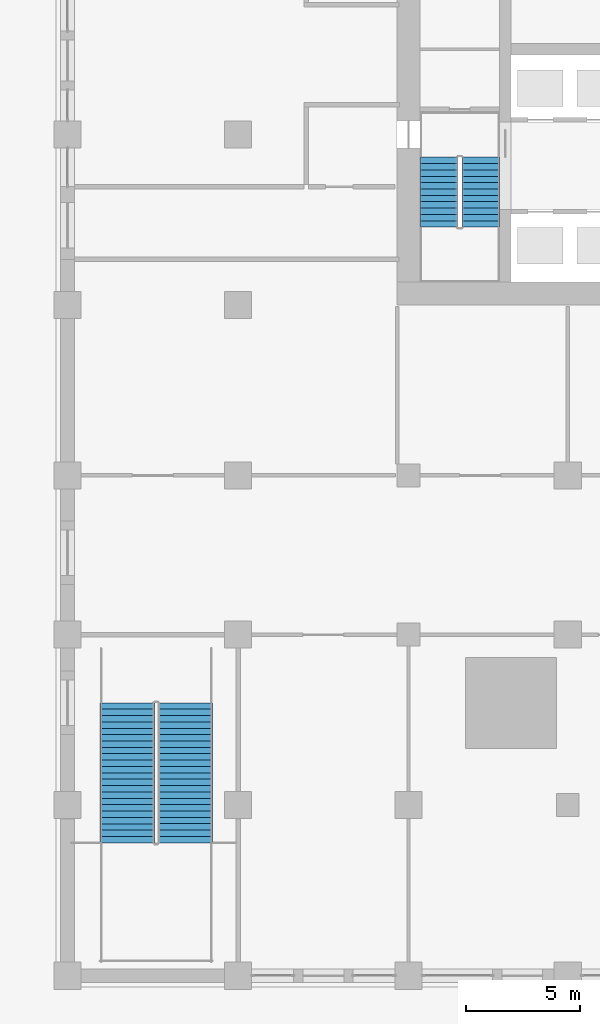
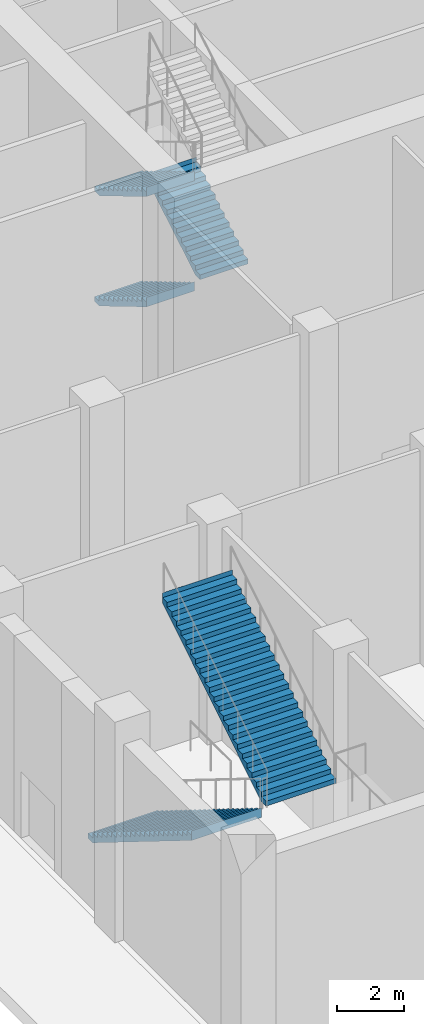
# One storey, part 35 of 57: 5 stair flights, 2 elements without a shape of their own.
"""IFC4 building model written with IfcOpenShell, lengths in metres."""

from ifc_helpers import new_model, si_unit, direction, frame, origin, place, context, subcontext, project, spatial, polyline, outline, extrude, material, type_object, element, aggregate, save


model = new_model("IFC4")

# Units and contexts
model_context = context("Model", 3, precision=1e-05, world=origin(), true_north=direction((0.0, 1.0)))
body_context = subcontext(model_context, "Body", "Model", "MODEL_VIEW")
ifc_project = project(units=[si_unit("LENGTHUNIT", "METRE"), si_unit("AREAUNIT", "SQUARE_METRE"), si_unit("VOLUMEUNIT", "CUBIC_METRE"), si_unit("PLANEANGLEUNIT", "RADIAN"), si_unit("MASSUNIT", "GRAM", prefix="KILO")], contexts=[model_context])

# Site, building, storey
site_placement = place(None, origin())
site = spatial("IfcSite", under=ifc_project, at=site_placement, CompositionType="ELEMENT")
building_placement = place(site_placement, origin())
building = spatial("IfcBuilding", under=site, at=building_placement, Name="Tamorin Gate", CompositionType="ELEMENT")
storey_placement = place(building_placement, origin())
storey = spatial("IfcBuildingStorey", under=building, at=storey_placement, Name="L00", CompositionType="ELEMENT", Elevation=0.0)

# Stair, stair flights
ifc_material_1 = material(Name="Concrete C40/50", Category="concrete")
stair_type_1 = type_object("IfcStairType", Name="Exit stair", PredefinedType="HALF_TURN_STAIR", material=ifc_material_1)
stair_1_placement = place(storey_placement, origin())
stair_1 = element("IfcStair", 1, at=stair_1_placement, inside=storey, type_object=stair_type_1, Name="L00 stair ST1", PredefinedType="HALF_TURN_STAIR")
stair_flight_type_1 = type_object("IfcStairFlightType", Name="Exit stair flight", PredefinedType="STRAIGHT", material=ifc_material_1)
stair_flight_1_placement = place(storey_placement, frame((31.824951171875, 66.5, 0.0), z_axis=(0.0, 0.0, 1.0), x_axis=(0.0, -1.0, 0.0)))
stair_flight_1 = element("IfcStairFlight", 2, at=stair_flight_1_placement, type_object=stair_flight_type_1, Name="ST1 flight 1", NumberOfRisers=12, NumberOfTreads=11, PredefinedType="STRAIGHT", RiserHeight=0.166666667, TreadLength=0.28, context=body_context, shape_type="SweptSolid", body=[
    extrude(outline(polyline([(-0.00048828125, 0.0), (-0.00048828125, 0.001708984375), (-0.00048828125, 0.00341796875), (-0.00048828125, 0.0048828125), (-0.00048828125, 0.006591796875), (-0.00048828125, 0.00830078125), (-0.00048828125, 0.010009765625), (-0.00048828125, 0.011474609375), (-0.00048828125, 0.01318359375), (-0.00048828125, 0.014892578125), (-0.00048828125, 0.0166015625), (-0.00048828125, 0.01806640625), (-0.00048828125, 0.019775390625), (-0.00048828125, 0.021484375), (-0.00048828125, 0.023193359375), (-0.00048828125, 0.024658203125), (-0.00048828125, 0.0263671875), (-0.00048828125, 0.028076171875), (-0.00048828125, 0.02978515625), (-0.00048828125, 0.03125), (-0.00048828125, 0.032958984375), (-0.00048828125, 0.03466796875), (-0.00048828125, 0.036376953125), (-0.00048828125, 0.037841796875), (-0.00048828125, 0.03955078125), (-0.00048828125, 0.041259765625), (-0.00048828125, 0.04296875), (-0.00048828125, 0.04443359375), (-0.00048828125, 0.046142578125), (-0.00048828125, 0.0478515625), (-0.00048828125, 0.049560546875), (-0.00048828125, 0.05126953125), (-0.00048828125, 0.052734375), (-0.00048828125, 0.054443359375), (-0.00048828125, 0.05615234375), (-0.00048828125, 0.057861328125), (-0.00048828125, 0.059326171875), (-0.00048828125, 0.06103515625), (-0.00048828125, 0.062744140625), (-0.00048828125, 0.064453125), (-0.00048828125, 0.06591796875), (-0.00048828125, 0.067626953125), (-0.00048828125, 0.0693359375), (-0.00048828125, 0.071044921875), (-0.00048828125, 0.072509765625), (-0.00048828125, 0.07421875), (-0.00048828125, 0.075927734375), (-0.00048828125, 0.07763671875), (-0.00048828125, 0.0791015625), (-0.00048828125, 0.080810546875), (-0.00048828125, 0.08251953125), (-0.00048828125, 0.084228515625), (-0.00048828125, 0.085693359375), (-0.00048828125, 0.08740234375), (-0.00048828125, 0.089111328125), (-0.00048828125, 0.0908203125), (-0.00048828125, 0.092529296875), (-0.00048828125, 0.093994140625), (-0.00048828125, 0.095703125), (-0.00048828125, 0.097412109375), (-0.00048828125, 0.09912109375), (-0.00048828125, 0.1005859375), (-0.00048828125, 0.102294921875), (-0.00048828125, 0.10400390625), (-0.00048828125, 0.105712890625), (-0.00048828125, 0.107177734375), (-0.00048828125, 0.10888671875), (-0.00048828125, 0.110595703125), (-0.00048828125, 0.1123046875), (-0.00048828125, 0.11376953125), (-0.00048828125, 0.115478515625), (-0.00048828125, 0.1171875), (-0.00048828125, 0.118896484375), (-0.00048828125, 0.120361328125), (-0.00048828125, 0.1220703125), (-0.00048828125, 0.123779296875), (-0.00048828125, 0.12548828125), (-0.00048828125, 0.126953125), (-0.00048828125, 0.128662109375), (-0.00048828125, 0.13037109375), (-0.00048828125, 0.132080078125), (-0.00048828125, 0.133544921875), (-0.00048828125, 0.13525390625), (-0.00048828125, 0.136962890625), (-0.00048828125, 0.138671875), (-0.00048828125, 0.140380859375), (-0.00048828125, 0.141845703125), (-0.00048828125, 0.1435546875), (-0.00048828125, 0.145263671875), (-0.00048828125, 0.14697265625), (-0.00048828125, 0.1484375), (-0.00048828125, 0.150146484375), (-0.00048828125, 0.15185546875), (-0.00048828125, 0.153564453125), (-0.00048828125, 0.155029296875), (-0.00048828125, 0.15673828125), (-0.00048828125, 0.158447265625), (-0.00048828125, 0.16015625), (-0.00048828125, 0.16162109375), (-0.00048828125, 0.163330078125), (-0.00048828125, 0.1650390625), (-0.00048828125, 0.166748046875), (0.280029296875, 0.166748046875), (0.280029296875, 0.333251953125), (0.56005859375, 0.333251953125), (0.56005859375, 0.5), (0.840087890625, 0.5), (0.840087890625, 0.666748046875), (1.1201171875, 0.666748046875), (1.1201171875, 0.833251953125), (1.39990234375, 0.833251953125), (1.39990234375, 1.0), (1.679931640625, 1.0), (1.679931640625, 1.166748046875), (1.9599609375, 1.166748046875), (1.9599609375, 1.333251953125), (2.239990234375, 1.333251953125), (2.239990234375, 1.5), (2.52001953125, 1.5), (2.52001953125, 1.666748046875), (2.800048828125, 1.666748046875), (2.800048828125, 1.833251953125), (3.080078125, 1.833251953125), (3.080078125, 2.0), (3.08056640625, 2.0), (3.08056640625, 1.99658203125), (3.08056640625, 1.9931640625), (3.08056640625, 1.98974609375), (3.08056640625, 1.986572265625), (3.08056640625, 1.983154296875), (3.08056640625, 1.979736328125), (3.08056640625, 1.976318359375), (3.08056640625, 1.972900390625), (3.08056640625, 1.969482421875), (3.08056640625, 1.96630859375), (3.08056640625, 1.962890625), (3.08056640625, 1.95947265625), (3.08056640625, 1.9560546875), (3.08056640625, 1.95263671875), (3.08056640625, 1.94921875), (3.08056640625, 1.946044921875), (3.08056640625, 1.942626953125), (3.08056640625, 1.939208984375), (3.08056640625, 1.935791015625), (3.08056640625, 1.932373046875), (3.08056640625, 1.928955078125), (3.08056640625, 1.92578125), (3.08056640625, 1.92236328125), (3.08056640625, 1.9189453125), (3.08056640625, 1.91552734375), (3.08056640625, 1.912109375), (3.08056640625, 1.90869140625), (3.08056640625, 1.905517578125), (3.08056640625, 1.902099609375), (3.08056640625, 1.898681640625), (3.08056640625, 1.895263671875), (3.08056640625, 1.891845703125), (3.08056640625, 1.888427734375), (3.08056640625, 1.88525390625), (3.08056640625, 1.8818359375), (3.08056640625, 1.87841796875), (3.08056640625, 1.875), (3.08056640625, 1.87158203125), (3.08056640625, 1.8681640625), (3.08056640625, 1.864990234375), (3.08056640625, 1.861572265625), (3.08056640625, 1.858154296875), (3.08056640625, 1.854736328125), (3.08056640625, 1.851318359375), (3.08056640625, 1.847900390625), (3.08056640625, 1.8447265625), (3.08056640625, 1.84130859375), (3.08056640625, 1.837890625), (3.08056640625, 1.83447265625), (3.08056640625, 1.8310546875), (3.08056640625, 1.82763671875), (3.08056640625, 1.824462890625), (3.08056640625, 1.821044921875), (3.08056640625, 1.817626953125), (3.08056640625, 1.814208984375), (3.08056640625, 1.810791015625), (3.08056640625, 1.807373046875), (3.08056640625, 1.80419921875), (3.08056640625, 1.80078125), (3.08056640625, 1.79736328125), (3.08056640625, 1.7939453125), (3.08056640625, 1.79052734375), (3.08056640625, 1.787109375), (3.08056640625, 1.783935546875), (3.08056640625, 1.780517578125), (3.08056640625, 1.777099609375), (3.08056640625, 1.773681640625), (3.08056640625, 1.770263671875), (3.08056640625, 1.766845703125), (3.08056640625, 1.763671875), (3.08056640625, 1.76025390625), (3.08056640625, 1.7568359375), (3.08056640625, 1.75341796875), (3.08056640625, 1.75), (3.08056640625, 1.74658203125), (3.08056640625, 1.743408203125), (3.08056640625, 1.739990234375), (3.08056640625, 1.736572265625), (3.08056640625, 1.733154296875), (3.08056640625, 1.729736328125), (3.08056640625, 1.726318359375), (3.08056640625, 1.72314453125), (3.08056640625, 1.7197265625), (3.08056640625, 1.71630859375), (3.08056640625, 1.712890625), (3.08056640625, 1.70947265625), (3.08056640625, 1.7060546875), (3.08056640625, 1.702880859375), (3.08056640625, 1.699462890625), (3.08056640625, 1.696044921875), (3.08056640625, 1.692626953125), (3.08056640625, 1.689208984375), (3.08056640625, 1.685791015625), (3.08056640625, 1.6826171875), (3.08056640625, 1.67919921875), (3.08056640625, 1.67578125), (3.08056640625, 1.67236328125), (3.08056640625, 1.6689453125), (3.08056640625, 1.66552734375), (3.08056640625, 1.662353515625), (3.08056640625, 1.658935546875), (3.080078125, 1.658935546875), (0.29296875, 0.0), (-0.00048828125, 0.0)])), frame((0.0, 0.824951171875, 0.0), z_axis=(0.0, -1.0, 0.0), x_axis=(1.0, 0.0, 0.0)), (0.0, 0.0, 1.0), 1.64990234375),
])
stair_flight_2_placement = place(storey_placement, frame((33.675048828125, 63.419921875, 2.0), z_axis=(0.0, 0.0, 1.0), x_axis=(0.0, 1.0, 0.0)))
stair_flight_2 = element("IfcStairFlight", 3, at=stair_flight_2_placement, type_object=stair_flight_type_1, Name="ST1 flight 2", NumberOfRisers=12, NumberOfTreads=11, PredefinedType="STRAIGHT", RiserHeight=0.166666667, TreadLength=0.28, context=body_context, shape_type="SweptSolid", body=[
    extrude(outline(polyline([(-0.00048828125, 0.0), (-0.00048828125, 0.001708984375), (-0.00048828125, 0.00341796875), (-0.00048828125, 0.0048828125), (-0.00048828125, 0.006591796875), (-0.00048828125, 0.00830078125), (-0.00048828125, 0.010009765625), (-0.00048828125, 0.011474609375), (-0.00048828125, 0.01318359375), (-0.00048828125, 0.014892578125), (-0.00048828125, 0.0166015625), (-0.00048828125, 0.01806640625), (-0.00048828125, 0.019775390625), (-0.00048828125, 0.021484375), (-0.00048828125, 0.023193359375), (-0.00048828125, 0.024658203125), (-0.00048828125, 0.0263671875), (-0.00048828125, 0.028076171875), (-0.00048828125, 0.02978515625), (-0.00048828125, 0.03125), (-0.00048828125, 0.032958984375), (-0.00048828125, 0.03466796875), (-0.00048828125, 0.036376953125), (-0.00048828125, 0.037841796875), (-0.00048828125, 0.03955078125), (-0.00048828125, 0.041259765625), (-0.00048828125, 0.04296875), (-0.00048828125, 0.04443359375), (-0.00048828125, 0.046142578125), (-0.00048828125, 0.0478515625), (-0.00048828125, 0.049560546875), (-0.00048828125, 0.05126953125), (-0.00048828125, 0.052734375), (-0.00048828125, 0.054443359375), (-0.00048828125, 0.05615234375), (-0.00048828125, 0.057861328125), (-0.00048828125, 0.059326171875), (-0.00048828125, 0.06103515625), (-0.00048828125, 0.062744140625), (-0.00048828125, 0.064453125), (-0.00048828125, 0.06591796875), (-0.00048828125, 0.067626953125), (-0.00048828125, 0.0693359375), (-0.00048828125, 0.071044921875), (-0.00048828125, 0.072509765625), (-0.00048828125, 0.07421875), (-0.00048828125, 0.075927734375), (-0.00048828125, 0.07763671875), (-0.00048828125, 0.0791015625), (-0.00048828125, 0.080810546875), (-0.00048828125, 0.08251953125), (-0.00048828125, 0.084228515625), (-0.00048828125, 0.085693359375), (-0.00048828125, 0.08740234375), (-0.00048828125, 0.089111328125), (-0.00048828125, 0.0908203125), (-0.00048828125, 0.092529296875), (-0.00048828125, 0.093994140625), (-0.00048828125, 0.095703125), (-0.00048828125, 0.097412109375), (-0.00048828125, 0.09912109375), (-0.00048828125, 0.1005859375), (-0.00048828125, 0.102294921875), (-0.00048828125, 0.10400390625), (-0.00048828125, 0.105712890625), (-0.00048828125, 0.107177734375), (-0.00048828125, 0.10888671875), (-0.00048828125, 0.110595703125), (-0.00048828125, 0.1123046875), (-0.00048828125, 0.11376953125), (-0.00048828125, 0.115478515625), (-0.00048828125, 0.1171875), (-0.00048828125, 0.118896484375), (-0.00048828125, 0.120361328125), (-0.00048828125, 0.1220703125), (-0.00048828125, 0.123779296875), (-0.00048828125, 0.12548828125), (-0.00048828125, 0.126953125), (-0.00048828125, 0.128662109375), (-0.00048828125, 0.13037109375), (-0.00048828125, 0.132080078125), (-0.00048828125, 0.133544921875), (-0.00048828125, 0.13525390625), (-0.00048828125, 0.136962890625), (-0.00048828125, 0.138671875), (-0.00048828125, 0.140380859375), (-0.00048828125, 0.141845703125), (-0.00048828125, 0.1435546875), (-0.00048828125, 0.145263671875), (-0.00048828125, 0.14697265625), (-0.00048828125, 0.1484375), (-0.00048828125, 0.150146484375), (-0.00048828125, 0.15185546875), (-0.00048828125, 0.153564453125), (-0.00048828125, 0.155029296875), (-0.00048828125, 0.15673828125), (-0.00048828125, 0.158447265625), (-0.00048828125, 0.16015625), (-0.00048828125, 0.16162109375), (-0.00048828125, 0.163330078125), (-0.00048828125, 0.1650390625), (-0.00048828125, 0.166748046875), (0.280029296875, 0.166748046875), (0.280029296875, 0.333251953125), (0.56005859375, 0.333251953125), (0.56005859375, 0.5), (0.840087890625, 0.5), (0.840087890625, 0.666748046875), (1.1201171875, 0.666748046875), (1.1201171875, 0.833251953125), (1.39990234375, 0.833251953125), (1.39990234375, 1.0), (1.679931640625, 1.0), (1.679931640625, 1.166748046875), (1.9599609375, 1.166748046875), (1.9599609375, 1.333251953125), (2.239990234375, 1.333251953125), (2.239990234375, 1.5), (2.52001953125, 1.5), (2.52001953125, 1.666748046875), (2.800048828125, 1.666748046875), (2.800048828125, 1.833251953125), (3.080078125, 1.833251953125), (3.080078125, 2.0), (3.08056640625, 2.0), (3.08056640625, 1.99658203125), (3.08056640625, 1.9931640625), (3.08056640625, 1.98974609375), (3.08056640625, 1.986572265625), (3.08056640625, 1.983154296875), (3.08056640625, 1.979736328125), (3.08056640625, 1.976318359375), (3.08056640625, 1.972900390625), (3.08056640625, 1.969482421875), (3.08056640625, 1.96630859375), (3.08056640625, 1.962890625), (3.08056640625, 1.95947265625), (3.08056640625, 1.9560546875), (3.08056640625, 1.95263671875), (3.08056640625, 1.94921875), (3.08056640625, 1.946044921875), (3.08056640625, 1.942626953125), (3.08056640625, 1.939208984375), (3.08056640625, 1.935791015625), (3.08056640625, 1.932373046875), (3.08056640625, 1.928955078125), (3.08056640625, 1.92578125), (3.08056640625, 1.92236328125), (3.08056640625, 1.9189453125), (3.08056640625, 1.91552734375), (3.08056640625, 1.912109375), (3.08056640625, 1.90869140625), (3.08056640625, 1.905517578125), (3.08056640625, 1.902099609375), (3.08056640625, 1.898681640625), (3.08056640625, 1.895263671875), (3.08056640625, 1.891845703125), (3.08056640625, 1.888427734375), (3.08056640625, 1.88525390625), (3.08056640625, 1.8818359375), (3.08056640625, 1.87841796875), (3.08056640625, 1.875), (3.08056640625, 1.87158203125), (3.08056640625, 1.8681640625), (3.08056640625, 1.864990234375), (3.08056640625, 1.861572265625), (3.08056640625, 1.858154296875), (3.08056640625, 1.854736328125), (3.08056640625, 1.851318359375), (3.08056640625, 1.847900390625), (3.08056640625, 1.8447265625), (3.08056640625, 1.84130859375), (3.08056640625, 1.837890625), (3.08056640625, 1.83447265625), (3.08056640625, 1.8310546875), (3.08056640625, 1.82763671875), (3.08056640625, 1.824462890625), (3.08056640625, 1.821044921875), (3.08056640625, 1.817626953125), (3.08056640625, 1.814208984375), (3.08056640625, 1.810791015625), (3.08056640625, 1.807373046875), (3.08056640625, 1.80419921875), (3.08056640625, 1.80078125), (3.08056640625, 1.79736328125), (3.08056640625, 1.7939453125), (3.08056640625, 1.79052734375), (3.08056640625, 1.787109375), (3.08056640625, 1.783935546875), (3.08056640625, 1.780517578125), (3.08056640625, 1.777099609375), (3.08056640625, 1.773681640625), (3.08056640625, 1.770263671875), (3.08056640625, 1.766845703125), (3.08056640625, 1.763671875), (3.08056640625, 1.76025390625), (3.08056640625, 1.7568359375), (3.08056640625, 1.75341796875), (3.08056640625, 1.75), (3.08056640625, 1.74658203125), (3.08056640625, 1.743408203125), (3.08056640625, 1.739990234375), (3.08056640625, 1.736572265625), (3.08056640625, 1.733154296875), (3.08056640625, 1.729736328125), (3.08056640625, 1.726318359375), (3.08056640625, 1.72314453125), (3.08056640625, 1.7197265625), (3.08056640625, 1.71630859375), (3.08056640625, 1.712890625), (3.08056640625, 1.70947265625), (3.08056640625, 1.7060546875), (3.08056640625, 1.702880859375), (3.08056640625, 1.699462890625), (3.08056640625, 1.696044921875), (3.08056640625, 1.692626953125), (3.08056640625, 1.689208984375), (3.08056640625, 1.685791015625), (3.08056640625, 1.6826171875), (3.08056640625, 1.67919921875), (3.08056640625, 1.67578125), (3.08056640625, 1.67236328125), (3.08056640625, 1.6689453125), (3.08056640625, 1.66552734375), (3.08056640625, 1.662353515625), (3.08056640625, 1.658935546875), (3.080078125, 1.658935546875), (0.29296875, 0.0), (-0.00048828125, 0.0)])), frame((0.0, 0.824951171875, 0.0), z_axis=(0.0, -1.0, 0.0), x_axis=(1.0, 0.0, 0.0)), (0.0, 0.0, 1.0), 1.64990234375),
])
stair_flight_3_placement = place(storey_placement, frame((31.824951171875, 66.5, 4.0), z_axis=(0.0, 0.0, 1.0), x_axis=(0.0, -1.0, 0.0)))
stair_flight_3 = element("IfcStairFlight", 4, at=stair_flight_3_placement, type_object=stair_flight_type_1, Name="ST1 flight 3", NumberOfRisers=12, NumberOfTreads=11, PredefinedType="STRAIGHT", RiserHeight=0.166666667, TreadLength=0.28, context=body_context, shape_type="SweptSolid", body=[
    extrude(outline(polyline([(-0.00048828125, 0.0), (-0.00048828125, 0.001708984375), (-0.00048828125, 0.00341796875), (-0.00048828125, 0.0048828125), (-0.00048828125, 0.006591796875), (-0.00048828125, 0.00830078125), (-0.00048828125, 0.010009765625), (-0.00048828125, 0.011474609375), (-0.00048828125, 0.01318359375), (-0.00048828125, 0.014892578125), (-0.00048828125, 0.0166015625), (-0.00048828125, 0.01806640625), (-0.00048828125, 0.019775390625), (-0.00048828125, 0.021484375), (-0.00048828125, 0.023193359375), (-0.00048828125, 0.024658203125), (-0.00048828125, 0.0263671875), (-0.00048828125, 0.028076171875), (-0.00048828125, 0.02978515625), (-0.00048828125, 0.03125), (-0.00048828125, 0.032958984375), (-0.00048828125, 0.03466796875), (-0.00048828125, 0.036376953125), (-0.00048828125, 0.037841796875), (-0.00048828125, 0.03955078125), (-0.00048828125, 0.041259765625), (-0.00048828125, 0.04296875), (-0.00048828125, 0.04443359375), (-0.00048828125, 0.046142578125), (-0.00048828125, 0.0478515625), (-0.00048828125, 0.049560546875), (-0.00048828125, 0.05126953125), (-0.00048828125, 0.052734375), (-0.00048828125, 0.054443359375), (-0.00048828125, 0.05615234375), (-0.00048828125, 0.057861328125), (-0.00048828125, 0.059326171875), (-0.00048828125, 0.06103515625), (-0.00048828125, 0.062744140625), (-0.00048828125, 0.064453125), (-0.00048828125, 0.06591796875), (-0.00048828125, 0.067626953125), (-0.00048828125, 0.0693359375), (-0.00048828125, 0.071044921875), (-0.00048828125, 0.072509765625), (-0.00048828125, 0.07421875), (-0.00048828125, 0.075927734375), (-0.00048828125, 0.07763671875), (-0.00048828125, 0.0791015625), (-0.00048828125, 0.080810546875), (-0.00048828125, 0.08251953125), (-0.00048828125, 0.084228515625), (-0.00048828125, 0.085693359375), (-0.00048828125, 0.08740234375), (-0.00048828125, 0.089111328125), (-0.00048828125, 0.0908203125), (-0.00048828125, 0.092529296875), (-0.00048828125, 0.093994140625), (-0.00048828125, 0.095703125), (-0.00048828125, 0.097412109375), (-0.00048828125, 0.09912109375), (-0.00048828125, 0.1005859375), (-0.00048828125, 0.102294921875), (-0.00048828125, 0.10400390625), (-0.00048828125, 0.105712890625), (-0.00048828125, 0.107177734375), (-0.00048828125, 0.10888671875), (-0.00048828125, 0.110595703125), (-0.00048828125, 0.1123046875), (-0.00048828125, 0.11376953125), (-0.00048828125, 0.115478515625), (-0.00048828125, 0.1171875), (-0.00048828125, 0.118896484375), (-0.00048828125, 0.120361328125), (-0.00048828125, 0.1220703125), (-0.00048828125, 0.123779296875), (-0.00048828125, 0.12548828125), (-0.00048828125, 0.126953125), (-0.00048828125, 0.128662109375), (-0.00048828125, 0.13037109375), (-0.00048828125, 0.132080078125), (-0.00048828125, 0.133544921875), (-0.00048828125, 0.13525390625), (-0.00048828125, 0.136962890625), (-0.00048828125, 0.138671875), (-0.00048828125, 0.140380859375), (-0.00048828125, 0.141845703125), (-0.00048828125, 0.1435546875), (-0.00048828125, 0.145263671875), (-0.00048828125, 0.14697265625), (-0.00048828125, 0.1484375), (-0.00048828125, 0.150146484375), (-0.00048828125, 0.15185546875), (-0.00048828125, 0.153564453125), (-0.00048828125, 0.155029296875), (-0.00048828125, 0.15673828125), (-0.00048828125, 0.158447265625), (-0.00048828125, 0.16015625), (-0.00048828125, 0.16162109375), (-0.00048828125, 0.163330078125), (-0.00048828125, 0.1650390625), (-0.00048828125, 0.166748046875), (0.280029296875, 0.166748046875), (0.280029296875, 0.333251953125), (0.56005859375, 0.333251953125), (0.56005859375, 0.5), (0.840087890625, 0.5), (0.840087890625, 0.666748046875), (1.1201171875, 0.666748046875), (1.1201171875, 0.833251953125), (1.39990234375, 0.833251953125), (1.39990234375, 1.0), (1.679931640625, 1.0), (1.679931640625, 1.166748046875), (1.9599609375, 1.166748046875), (1.9599609375, 1.333251953125), (2.239990234375, 1.333251953125), (2.239990234375, 1.5), (2.52001953125, 1.5), (2.52001953125, 1.666748046875), (2.800048828125, 1.666748046875), (2.800048828125, 1.833251953125), (3.080078125, 1.833251953125), (3.080078125, 2.0), (3.08056640625, 2.0), (3.08056640625, 1.99658203125), (3.08056640625, 1.9931640625), (3.08056640625, 1.98974609375), (3.08056640625, 1.986572265625), (3.08056640625, 1.983154296875), (3.08056640625, 1.979736328125), (3.08056640625, 1.976318359375), (3.08056640625, 1.972900390625), (3.08056640625, 1.969482421875), (3.08056640625, 1.96630859375), (3.08056640625, 1.962890625), (3.08056640625, 1.95947265625), (3.08056640625, 1.9560546875), (3.08056640625, 1.95263671875), (3.08056640625, 1.94921875), (3.08056640625, 1.946044921875), (3.08056640625, 1.942626953125), (3.08056640625, 1.939208984375), (3.08056640625, 1.935791015625), (3.08056640625, 1.932373046875), (3.08056640625, 1.928955078125), (3.08056640625, 1.92578125), (3.08056640625, 1.92236328125), (3.08056640625, 1.9189453125), (3.08056640625, 1.91552734375), (3.08056640625, 1.912109375), (3.08056640625, 1.90869140625), (3.08056640625, 1.905517578125), (3.08056640625, 1.902099609375), (3.08056640625, 1.898681640625), (3.08056640625, 1.895263671875), (3.08056640625, 1.891845703125), (3.08056640625, 1.888427734375), (3.08056640625, 1.88525390625), (3.08056640625, 1.8818359375), (3.08056640625, 1.87841796875), (3.08056640625, 1.875), (3.08056640625, 1.87158203125), (3.08056640625, 1.8681640625), (3.08056640625, 1.864990234375), (3.08056640625, 1.861572265625), (3.08056640625, 1.858154296875), (3.08056640625, 1.854736328125), (3.08056640625, 1.851318359375), (3.08056640625, 1.847900390625), (3.08056640625, 1.8447265625), (3.08056640625, 1.84130859375), (3.08056640625, 1.837890625), (3.08056640625, 1.83447265625), (3.08056640625, 1.8310546875), (3.08056640625, 1.82763671875), (3.08056640625, 1.824462890625), (3.08056640625, 1.821044921875), (3.08056640625, 1.817626953125), (3.08056640625, 1.814208984375), (3.08056640625, 1.810791015625), (3.08056640625, 1.807373046875), (3.08056640625, 1.80419921875), (3.08056640625, 1.80078125), (3.08056640625, 1.79736328125), (3.08056640625, 1.7939453125), (3.08056640625, 1.79052734375), (3.08056640625, 1.787109375), (3.08056640625, 1.783935546875), (3.08056640625, 1.780517578125), (3.08056640625, 1.777099609375), (3.08056640625, 1.773681640625), (3.08056640625, 1.770263671875), (3.08056640625, 1.766845703125), (3.08056640625, 1.763671875), (3.08056640625, 1.76025390625), (3.08056640625, 1.7568359375), (3.08056640625, 1.75341796875), (3.08056640625, 1.75), (3.08056640625, 1.74658203125), (3.08056640625, 1.743408203125), (3.08056640625, 1.739990234375), (3.08056640625, 1.736572265625), (3.08056640625, 1.733154296875), (3.08056640625, 1.729736328125), (3.08056640625, 1.726318359375), (3.08056640625, 1.72314453125), (3.08056640625, 1.7197265625), (3.08056640625, 1.71630859375), (3.08056640625, 1.712890625), (3.08056640625, 1.70947265625), (3.08056640625, 1.7060546875), (3.08056640625, 1.702880859375), (3.08056640625, 1.699462890625), (3.08056640625, 1.696044921875), (3.08056640625, 1.692626953125), (3.08056640625, 1.689208984375), (3.08056640625, 1.685791015625), (3.08056640625, 1.6826171875), (3.08056640625, 1.67919921875), (3.08056640625, 1.67578125), (3.08056640625, 1.67236328125), (3.08056640625, 1.6689453125), (3.08056640625, 1.66552734375), (3.08056640625, 1.662353515625), (3.08056640625, 1.658935546875), (3.080078125, 1.658935546875), (0.29296875, 0.0), (-0.00048828125, 0.0)])), frame((0.0, 0.824951171875, 0.0), z_axis=(0.0, -1.0, 0.0), x_axis=(1.0, 0.0, 0.0)), (0.0, 0.0, 1.0), 1.64990234375),
])
aggregate(stair_1, [stair_flight_1, stair_flight_2, stair_flight_3])

ifc_material_2 = material(Name="Reinforced concrete C32/40", Category="concrete")
stair_type_2 = type_object("IfcStairType", Name="Podium stair PS", PredefinedType="HALF_TURN_STAIR", material=ifc_material_2)
stair_2_placement = place(storey_placement, origin())
stair_2 = element("IfcStair", 5, at=stair_2_placement, inside=storey, type_object=stair_type_2, Name="L00 Podium stair PS1", PredefinedType="HALF_TURN_STAIR")
stair_flight_type_2 = type_object("IfcStairFlightType", Name="Stair flight 2400", PredefinedType="STRAIGHT", material=ifc_material_2)
stair_flight_4_placement = place(storey_placement, frame((18.125, 42.5, 0.0), z_axis=(0.0, 0.0, 1.0), x_axis=(0.0, -1.0, 0.0)))
stair_flight_4 = element("IfcStairFlight", 6, at=stair_flight_4_placement, type_object=stair_flight_type_2, Name="PS1 flight 1", NumberOfRisers=23, NumberOfTreads=22, PredefinedType="STRAIGHT", RiserHeight=0.173913043, TreadLength=0.28, context=body_context, shape_type="SweptSolid", body=[
    extrude(outline(polyline([(-0.00048828125, 0.0), (-0.00048828125, 0.173828125), (0.280029296875, 0.173828125), (0.280029296875, 0.347900390625), (0.56005859375, 0.347900390625), (0.56005859375, 0.521728515625), (0.840087890625, 0.521728515625), (0.840087890625, 0.695556640625), (1.1201171875, 0.695556640625), (1.1201171875, 0.86962890625), (1.39990234375, 0.86962890625), (1.39990234375, 1.04345703125), (1.679931640625, 1.04345703125), (1.679931640625, 1.21728515625), (1.9599609375, 1.21728515625), (1.9599609375, 1.391357421875), (2.239990234375, 1.391357421875), (2.239990234375, 1.565185546875), (2.52001953125, 1.565185546875), (2.52001953125, 1.739013671875), (2.800048828125, 1.739013671875), (2.800048828125, 1.9130859375), (3.080078125, 1.9130859375), (3.080078125, 2.0869140625), (3.360107421875, 2.0869140625), (3.360107421875, 2.260986328125), (3.639892578125, 2.260986328125), (3.639892578125, 2.434814453125), (3.919921875, 2.434814453125), (3.919921875, 2.608642578125), (4.199951171875, 2.608642578125), (4.199951171875, 2.78271484375), (4.47998046875, 2.78271484375), (4.47998046875, 2.95654296875), (4.760009765625, 2.95654296875), (4.760009765625, 3.13037109375), (5.0400390625, 3.13037109375), (5.0400390625, 3.304443359375), (5.320068359375, 3.304443359375), (5.320068359375, 3.478271484375), (5.60009765625, 3.478271484375), (5.60009765625, 3.652099609375), (5.8798828125, 3.652099609375), (5.8798828125, 3.826171875), (6.159912109375, 3.826171875), (6.159912109375, 4.0), (6.160400390625, 4.0), (6.160400390625, 3.649658203125), (6.159912109375, 3.649658203125), (0.2841796875, 0.0), (-0.00048828125, 0.0)])), frame((0.0, 1.199951171875, 0.0), z_axis=(0.0, -1.0, 0.0), x_axis=(1.0, 0.0, 0.0)), (0.0, 0.0, 1.0), 2.39990234375),
])
stair_flight_5_placement = place(storey_placement, frame((20.675048828125, 36.340087890625, 4.0), z_axis=(0.0, 0.0, 1.0), x_axis=(0.0, 1.0, 0.0)))
stair_flight_5 = element("IfcStairFlight", 7, at=stair_flight_5_placement, type_object=stair_flight_type_2, Name="PS1 flight 2", NumberOfRisers=23, NumberOfTreads=22, PredefinedType="STRAIGHT", RiserHeight=0.173913043, TreadLength=0.28, context=body_context, shape_type="SweptSolid", body=[
    extrude(outline(polyline([(-0.00048828125, 0.0), (-0.00048828125, 0.173828125), (0.280029296875, 0.173828125), (0.280029296875, 0.347900390625), (0.56005859375, 0.347900390625), (0.56005859375, 0.521728515625), (0.840087890625, 0.521728515625), (0.840087890625, 0.695556640625), (1.1201171875, 0.695556640625), (1.1201171875, 0.86962890625), (1.39990234375, 0.86962890625), (1.39990234375, 1.04345703125), (1.679931640625, 1.04345703125), (1.679931640625, 1.21728515625), (1.9599609375, 1.21728515625), (1.9599609375, 1.391357421875), (2.239990234375, 1.391357421875), (2.239990234375, 1.565185546875), (2.52001953125, 1.565185546875), (2.52001953125, 1.739013671875), (2.800048828125, 1.739013671875), (2.800048828125, 1.9130859375), (3.080078125, 1.9130859375), (3.080078125, 2.0869140625), (3.360107421875, 2.0869140625), (3.360107421875, 2.260986328125), (3.639892578125, 2.260986328125), (3.639892578125, 2.434814453125), (3.919921875, 2.434814453125), (3.919921875, 2.608642578125), (4.199951171875, 2.608642578125), (4.199951171875, 2.78271484375), (4.47998046875, 2.78271484375), (4.47998046875, 2.95654296875), (4.760009765625, 2.95654296875), (4.760009765625, 3.13037109375), (5.0400390625, 3.13037109375), (5.0400390625, 3.304443359375), (5.320068359375, 3.304443359375), (5.320068359375, 3.478271484375), (5.60009765625, 3.478271484375), (5.60009765625, 3.652099609375), (5.8798828125, 3.652099609375), (5.8798828125, 3.826171875), (6.159912109375, 3.826171875), (6.159912109375, 4.0), (6.160400390625, 4.0), (6.160400390625, 3.649658203125), (6.159912109375, 3.649658203125), (0.2841796875, 0.0), (-0.00048828125, 0.0)])), frame((0.0, 1.199951171875, 0.0), z_axis=(0.0, -1.0, 0.0), x_axis=(1.0, 0.0, 0.0)), (0.0, 0.0, 1.0), 2.39990234375),
])
aggregate(stair_2, [stair_flight_4, stair_flight_5])

save(model, "model.ifc")
